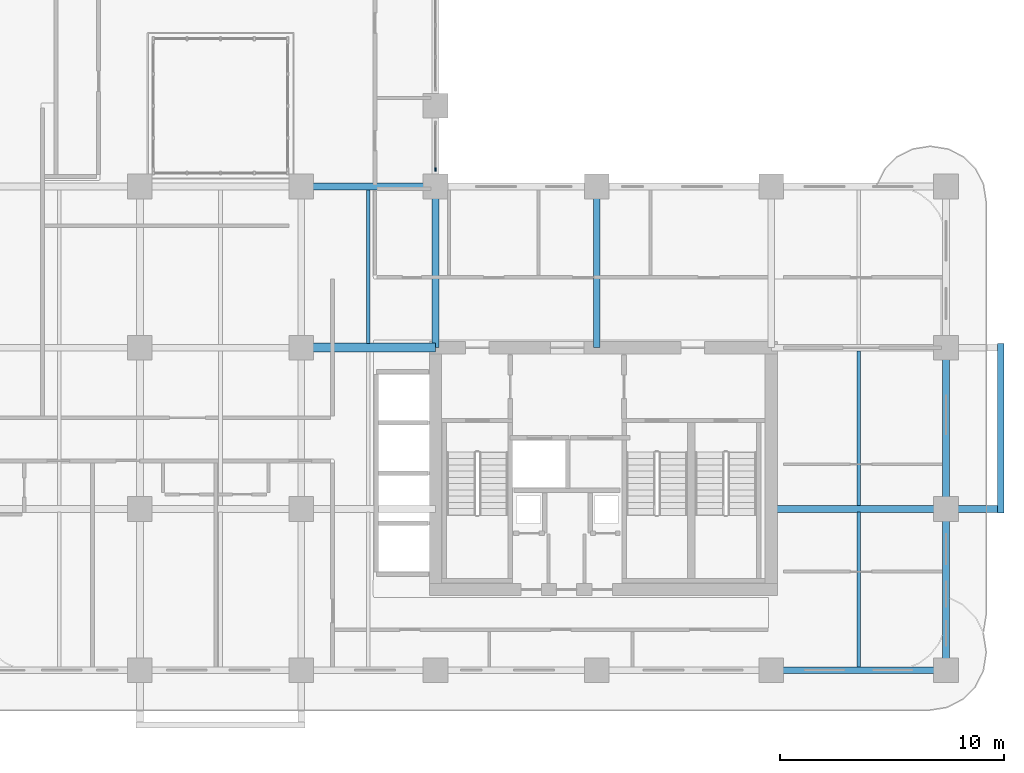
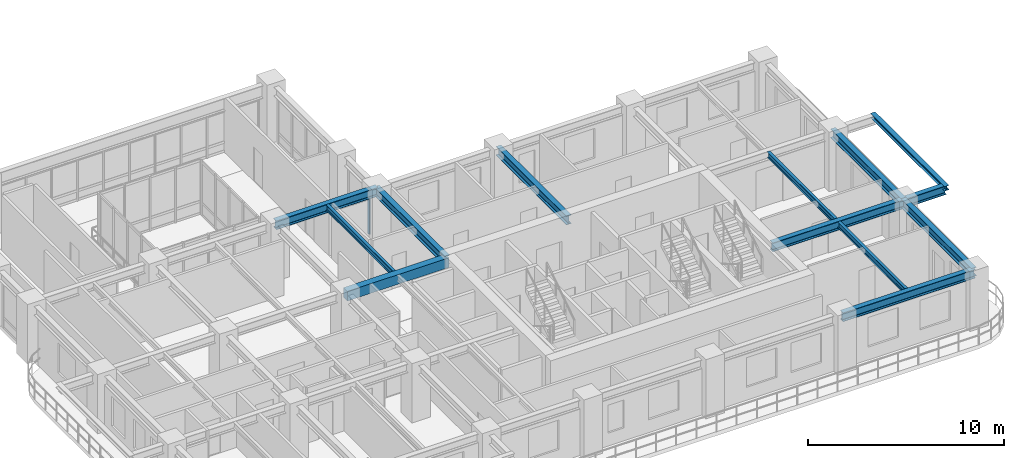
# One storey, part 4 of 22: 12 beams, 1 member, 1 element without a shape of its own.
"""IFC4 building model written with IfcOpenShell, lengths in metres."""

from ifc_helpers import new_model, si_unit, derived_unit, direction, frame, origin, origin_2d, place, context, subcontext, project, spatial, rectangle, i_section, extrude, source, transform, mapped, material, layer, layer_set, material_profile, profile_set, type_object, type_shapes, element, aggregate, save


model = new_model("IFC4")

# Units and contexts
model_context = context("Model", 3, precision=1e-05, world=origin(), true_north=direction((0.0, 1.0)))
body_context = subcontext(model_context, "Body", "Model", "MODEL_VIEW")
ifc_project = project(units=[si_unit("LENGTHUNIT", "METRE"), si_unit("AREAUNIT", "SQUARE_METRE"), si_unit("VOLUMEUNIT", "CUBIC_METRE"), si_unit("PLANEANGLEUNIT", "RADIAN"), si_unit("MASSUNIT", "GRAM", prefix="KILO"), si_unit("THERMODYNAMICTEMPERATUREUNIT", "KELVIN"), si_unit("POWERUNIT", "WATT"), derived_unit("THERMALTRANSMITTANCEUNIT", [(si_unit("POWERUNIT", "WATT"), 1), (si_unit("AREAUNIT", "SQUARE_METRE"), -1), (si_unit("THERMODYNAMICTEMPERATUREUNIT", "KELVIN"), -1)])], contexts=[model_context])

# Site, building, storey
site_placement = place(None, origin())
site = spatial("IfcSite", under=ifc_project, at=site_placement, CompositionType="ELEMENT")
building_placement = place(site_placement, origin())
building = spatial("IfcBuilding", under=site, at=building_placement, Name="Zahravan Archway Hotel and Residences", CompositionType="ELEMENT")
storey_placement = place(building_placement, frame((0.0, 0.0, 80.5)))
storey = spatial("IfcBuildingStorey", under=building, at=storey_placement, Name="L19", CompositionType="ELEMENT", Elevation=80.5)

# Beams
ifc_material_1 = material(Name="Structural Steel S355JR", Category="steel")
ifc_material_profile_1 = material_profile(ifc_material_1, i_section(OverallWidth=0.280029296875, OverallDepth=0.280029296875, WebThickness=0.010498046875, FlangeThickness=0.01806640625, FilletRadius=0.02392578125, at=origin_2d()), Name="HEB 280", Category="steel")
ifc_profile_set_1 = profile_set([ifc_material_profile_1], Name="Structural Steel S355JR")
beam_type_1 = type_object("IfcBeamType", Name="BM-SPN-HEB280", PredefinedType="SPANDREL", material=ifc_profile_set_1)
shared_shape_1 = source(origin(), body_context, "Body", "SweptSolid", [
    extrude(i_section(OverallWidth=0.280029296875, OverallDepth=0.280029296875, WebThickness=0.010498046875, FlangeThickness=0.01806640625, FilletRadius=0.02392578125, at=origin_2d()), origin(), (0.0, 0.0, 1.0), 7.56005859375),
])
type_shapes(beam_type_1, [shared_shape_1])
beam_1_placement = place(storey_placement, frame((60.050048828125, 7.02001953125, 3.31005859375), z_axis=(0.0, 1.0, 0.0), x_axis=(-1.0, 0.0, 0.0)))
element("IfcBeam", 1, at=beam_1_placement, inside=storey, type_object=beam_type_1, Name="L20 EA Balcony Edge Spandrel", PredefinedType="SPANDREL", context=body_context, shape_type="MappedRepresentation", body=[
    mapped(shared_shape_1, transform((0.0, 0.0, 0.0), scale=1.0)),
])
ifc_material_2 = material(Name="Concrete C60/75", Category="concrete")
ifc_material_profile_2 = material_profile(ifc_material_2, rectangle(XDim=0.39990234375, YDim=0.60009765625, at=origin_2d()), Name="RC-LNT-400x600", Category="concrete")
ifc_profile_set_2 = profile_set([ifc_material_profile_2], Name="Concrete C60/75")
beam_type_2 = type_object("IfcBeamType", Name="LNT-RC-400x600", PredefinedType="LINTEL", material=ifc_profile_set_2)
shared_shape_2 = source(origin(), body_context, "Body", "SweptSolid", [
    extrude(rectangle(XDim=0.39990234375, YDim=0.60009765625, at=origin_2d()), origin(), (0.0, 0.0, 1.0), 6.0),
])
type_shapes(beam_type_2, [shared_shape_2])
beam_2_placement = place(storey_placement, frame((28.800048828125, 14.39990234375, 3.14990234375), z_axis=(1.0, 0.0, 0.0), x_axis=(0.0, 1.0, 0.0)))
element("IfcBeam", 2, at=beam_2_placement, inside=storey, type_object=beam_type_2, Name="L19 Core A Coupling Lintel Beam", PredefinedType="LINTEL", context=body_context, shape_type="MappedRepresentation", body=[
    mapped(shared_shape_2, transform((0.0, 0.0, 0.0), scale=1.0)),
])
ifc_material_profile_3 = material_profile(ifc_material_1, i_section(OverallWidth=0.300048828125, OverallDepth=0.550048828125, WebThickness=0.014892578125, FlangeThickness=0.029052734375, FilletRadius=0.027099609375, at=origin_2d()), Name="HEB 550", Category="steel")
ifc_profile_set_3 = profile_set([ifc_material_profile_3], Name="Structural Steel S355JR")
beam_type_3 = type_object("IfcBeamType", Name="BM-PRI-HEB550", PredefinedType="BEAM", material=ifc_profile_set_3)
shared_shape_3 = source(origin(), body_context, "Body", "SweptSolid", [
    extrude(i_section(OverallWidth=0.300048828125, OverallDepth=0.550048828125, WebThickness=0.014892578125, FlangeThickness=0.029052734375, FilletRadius=0.027099609375, at=origin_2d()), origin(), (0.0, 0.0, 1.0), 7.2001953125),
])
type_shapes(beam_type_3, [shared_shape_3])
for number, where, z_axis, x_axis, name in (
    (3, (34.800048828125, 14.39990234375, 3.175048828125), (0.0, 1.0, 0.0), (-1.0, 0.0, 0.0), "L19 Primary Girder NS-45"),
    (4, (42.0, 14.39990234375, 3.175048828125), (0.0, 1.0, 0.0), (-1.0, 0.0, 0.0), "L19 Primary Girder NS-48"),
):
    element("IfcBeam", number, at=place(storey_placement, frame(where, z_axis=z_axis, x_axis=x_axis)), inside=storey, type_object=beam_type_3, Name=name, PredefinedType="BEAM", context=body_context, shape_type="MappedRepresentation", body=[
        mapped(shared_shape_3, transform((0.0, 0.0, 0.0), scale=1.0)),
    ])
shared_shape_4 = source(origin(), body_context, "Body", "SweptSolid", [
    extrude(i_section(OverallWidth=0.300048828125, OverallDepth=0.550048828125, WebThickness=0.014892578125, FlangeThickness=0.029052734375, FilletRadius=0.027099609375, at=origin_2d()), origin(), (0.0, 0.0, 1.0), 7.199951171875),
])
for number, where, z_axis, x_axis, name in (
    (5, (57.60009765625, 0.0, 3.175048828125), (0.0, 1.0, 0.0), (-1.0, 0.0, 0.0), "L19 Primary Girder NS-50"),
    (6, (57.60009765625, 7.199951171875, 3.175048828125), (0.0, 1.0, 0.0), (-1.0, 0.0, 0.0), "L19 Primary Girder NS-51"),
):
    element("IfcBeam", number, at=place(storey_placement, frame(where, z_axis=z_axis, x_axis=x_axis)), inside=storey, type_object=beam_type_3, Name=name, PredefinedType="BEAM", context=body_context, shape_type="MappedRepresentation", body=[
        mapped(shared_shape_4, transform((0.0, 0.0, 0.0), scale=1.0)),
    ])
shared_shape_5 = source(origin(), body_context, "Body", "SweptSolid", [
    extrude(i_section(OverallWidth=0.300048828125, OverallDepth=0.550048828125, WebThickness=0.014892578125, FlangeThickness=0.029052734375, FilletRadius=0.027099609375, at=origin_2d()), origin(), (0.0, 0.0, 1.0), 6.0),
])
beam_3_placement = place(storey_placement, frame((28.800048828125, 21.60009765625, 3.175048828125), z_axis=(1.0, 0.0, 0.0), x_axis=(0.0, 1.0, 0.0)))
element("IfcBeam", 7, at=beam_3_placement, inside=storey, type_object=beam_type_3, Name="L19 Primary Girder EW-16", PredefinedType="BEAM", context=body_context, shape_type="MappedRepresentation", body=[
    mapped(shared_shape_5, transform((0.0, 0.0, 0.0), scale=1.0)),
])
shared_shape_6 = source(origin(), body_context, "Body", "SweptSolid", [
    extrude(i_section(OverallWidth=0.300048828125, OverallDepth=0.550048828125, WebThickness=0.014892578125, FlangeThickness=0.029052734375, FilletRadius=0.027099609375, at=origin_2d()), origin(), (0.0, 0.0, 1.0), 7.800048828125),
])
beam_4_placement = place(storey_placement, frame((49.800048828125, 0.0, 3.175048828125), z_axis=(1.0, 0.0, 0.0), x_axis=(0.0, 1.0, 0.0)))
element("IfcBeam", 8, at=beam_4_placement, inside=storey, type_object=beam_type_3, Name="L19 Primary Girder EW-06", PredefinedType="BEAM", context=body_context, shape_type="MappedRepresentation", body=[
    mapped(shared_shape_6, transform((0.0, 0.0, 0.0), scale=1.0)),
])
shared_shape_7 = source(origin(), body_context, "Body", "SweptSolid", [
    extrude(i_section(OverallWidth=0.300048828125, OverallDepth=0.550048828125, WebThickness=0.014892578125, FlangeThickness=0.029052734375, FilletRadius=0.027099609375, at=origin_2d()), origin(), (0.0, 0.0, 1.0), 10.25),
])
beam_5_placement = place(storey_placement, frame((49.800048828125, 7.199951171875, 3.175048828125), z_axis=(1.0, 0.0, 0.0), x_axis=(0.0, 1.0, 0.0)))
element("IfcBeam", 9, at=beam_5_placement, inside=storey, type_object=beam_type_3, Name="L19 Primary Girder EW-10", PredefinedType="BEAM", context=body_context, shape_type="MappedRepresentation", body=[
    mapped(shared_shape_7, transform((0.0, 0.0, 0.0), scale=1.0)),
])
ifc_material_profile_4 = material_profile(ifc_material_1, i_section(OverallWidth=0.169921875, OverallDepth=0.360107421875, WebThickness=0.008056640625, FlangeThickness=0.0126953125, FilletRadius=0.01806640625, at=origin_2d()), Name="IPE 360", Category="steel")
ifc_profile_set_4 = profile_set([ifc_material_profile_4], Name="Structural Steel S355JR")
beam_type_4 = type_object("IfcBeamType", Name="BM-JST-IPE360", PredefinedType="JOIST", material=ifc_profile_set_4)
shared_shape_8 = source(origin(), body_context, "Body", "SweptSolid", [
    extrude(i_section(OverallWidth=0.169921875, OverallDepth=0.360107421875, WebThickness=0.008056640625, FlangeThickness=0.0126953125, FilletRadius=0.01806640625, at=origin_2d()), origin(), (0.0, 0.0, 1.0), 6.904052734375),
])
type_shapes(beam_type_4, [shared_shape_8])
for number, where, z_axis, x_axis, name in (
    (10, (53.699951171875, 0.14794921875, 3.27001953125), (0.0, 1.0, 0.0), (-1.0, 0.0, 0.0), "L19 Composite Floor Joist 04"),
    (11, (53.699951171875, 7.347900390625, 3.27001953125), (0.0, 1.0, 0.0), (-1.0, 0.0, 0.0), "L19 Composite Floor Joist 08"),
):
    element("IfcBeam", number, at=place(storey_placement, frame(where, z_axis=z_axis, x_axis=x_axis)), inside=storey, type_object=beam_type_4, Name=name, PredefinedType="JOIST", context=body_context, shape_type="MappedRepresentation", body=[
        mapped(shared_shape_8, transform((0.0, 0.0, 0.0), scale=1.0)),
    ])
shared_shape_9 = source(origin(), body_context, "Body", "SweptSolid", [
    extrude(i_section(OverallWidth=0.169921875, OverallDepth=0.360107421875, WebThickness=0.008056640625, FlangeThickness=0.0126953125, FilletRadius=0.01806640625, at=origin_2d()), origin(), (0.0, 0.0, 1.0), 6.85400390625),
])
beam_6_placement = place(storey_placement, frame((31.800048828125, 14.597900390625, 3.27001953125), z_axis=(0.0, 1.0, 0.0), x_axis=(-1.0, 0.0, 0.0)))
element("IfcBeam", 12, at=beam_6_placement, inside=storey, type_object=beam_type_4, Name="L19 Composite Floor Joist 09", PredefinedType="JOIST", context=body_context, shape_type="MappedRepresentation", body=[
    mapped(shared_shape_9, transform((0.0, 0.0, 0.0), scale=1.0)),
])

# Curtain wall, member
ifc_material_3 = material(Name="Bronze-Anodized Unitised Aluminium & Low-E Glass", Category="aluminium")
ifc_layer = layer(ifc_material_3, 0.179931640625, Name="Bronze-Anodized Unitised Aluminium & Low-E Glass", Category="aluminium")
ifc_layer_set = layer_set([ifc_layer], Name="Bronze-Anodized Unitised Aluminium & Low-E Glass")
curtain_wall_type = type_object("IfcCurtainWallType", Name="CW-ATR-GLAZ", PredefinedType="NOTDEFINED", material=ifc_layer_set)
curtain_wall_placement = place(storey_placement, origin())
curtain_wall = element("IfcCurtainWall", 13, at=curtain_wall_placement, inside=storey, type_object=curtain_wall_type, Name="L19 Curtain Wall CW-L19-HNG-E-1", PredefinedType="NOTDEFINED")
ifc_material_4 = material(Name="Bronze-Anodized Extruded Aluminium", Category="aluminium")
ifc_material_profile_5 = material_profile(ifc_material_4, rectangle(XDim=0.080078125, YDim=0.159912109375, at=origin_2d()), Name="MUL 80x160", Category="aluminium")
ifc_profile_set_5 = profile_set([ifc_material_profile_5], Name="Bronze-Anodized Extruded Aluminium")
member_type = type_object("IfcMemberType", Name="CWM-MUL-160", PredefinedType="MULLION", material=ifc_profile_set_5)
shared_shape_10 = source(origin(), body_context, "Body", "SweptSolid", [
    extrude(rectangle(XDim=0.080078125, YDim=0.159912109375, at=origin_2d()), origin(), (0.0, 0.0, 1.0), 2.885009765625),
])
member_placement = place(storey_placement, frame((34.800048828125, 22.360107421875, 0.0), z_axis=(0.0, 0.0, 1.0), x_axis=(1.0, 0.0, 0.0)))
member = element("IfcMember", 14, at=member_placement, type_object=member_type, Name="CW-L19-HNG-E-1 Mullion 0", PredefinedType="MULLION", context=body_context, shape_type="MappedRepresentation", body=[
    mapped(shared_shape_10, transform((0.0, 0.0, 0.0), scale=1.0)),
])
aggregate(curtain_wall, [member])

save(model, "model.ifc")
